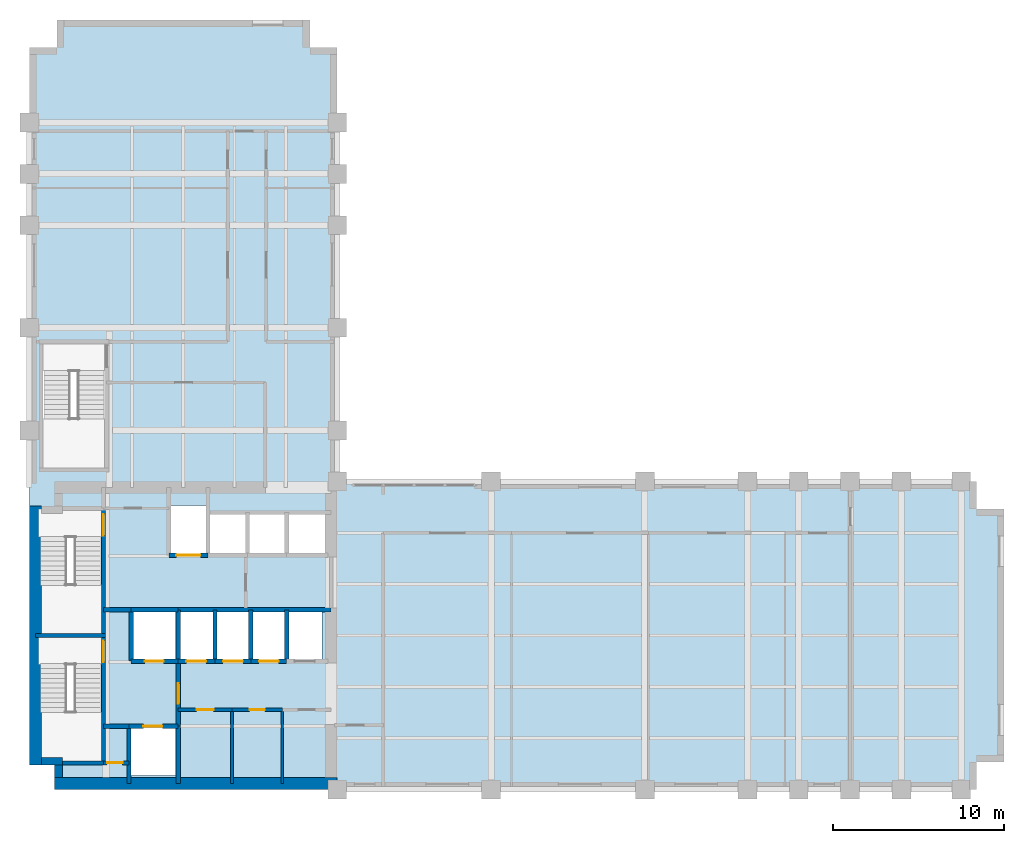
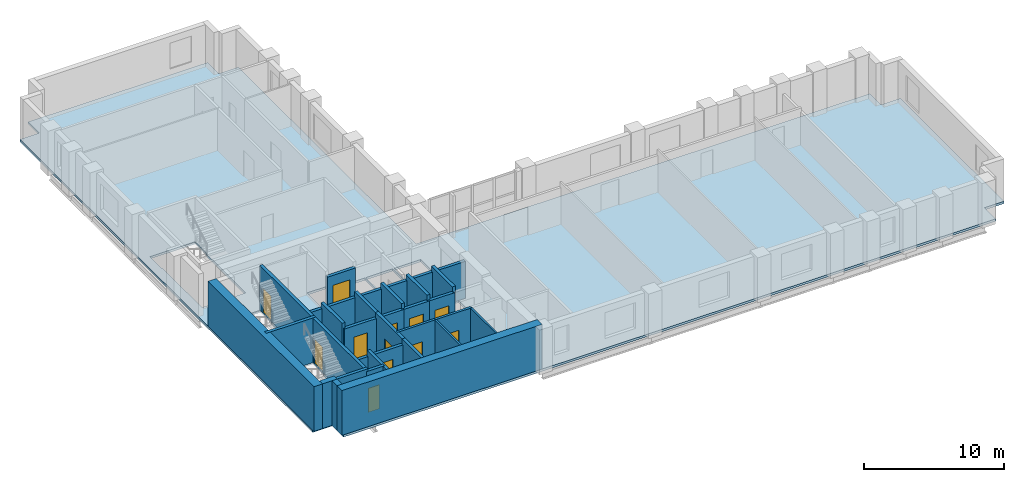
# One storey, part 4 of 8: 31 walls, 12 doors, 1 slab, 12 openings.
"""IFC4 building model written with IfcOpenShell, lengths in metres."""

from ifc_helpers import new_model, si_unit, direction, frame, frame_2d, origin, place, context, subcontext, project, spatial, polyline, rectangle, outline, extrude, material, layer, layer_set, type_object, element, fill, save


model = new_model("IFC4")

# Units and contexts
model_context = context("Model", 3, precision=1e-05, world=origin(), true_north=direction((0.0, 1.0)))
body_context = subcontext(model_context, "Body", "Model", "MODEL_VIEW")
ifc_project = project(units=[si_unit("LENGTHUNIT", "METRE"), si_unit("AREAUNIT", "SQUARE_METRE"), si_unit("VOLUMEUNIT", "CUBIC_METRE"), si_unit("PLANEANGLEUNIT", "RADIAN"), si_unit("MASSUNIT", "GRAM", prefix="KILO")], contexts=[model_context])

# Site, building, storey
site_placement = place(None, origin())
site = spatial("IfcSite", under=ifc_project, at=site_placement, CompositionType="ELEMENT")
building_placement = place(site_placement, origin())
building = spatial("IfcBuilding", under=site, at=building_placement, Name="Mawjdan Bourse Tower", CompositionType="ELEMENT")
storey_placement = place(building_placement, frame((0.0, 0.0, 101.10009765625)))
storey = spatial("IfcBuildingStorey", under=building, at=storey_placement, Name="L23", CompositionType="ELEMENT", Elevation=101.10009765625)

# Slab
ifc_material_1 = material(Name="Concrete C50/60", Category="concrete")
ifc_layer_1 = layer(ifc_material_1, 0.199951171875)
ifc_layer_set_1 = layer_set([ifc_layer_1], Name="Concrete C50/60")
slab_type = type_object("IfcSlabType", Name="SL-OFC-200", PredefinedType="FLOOR", material=ifc_layer_set_1)
slab_placement = place(storey_placement, frame((0.0, 0.0, -0.2001953125)))
element("IfcSlab", 1, at=slab_placement, inside=storey, type_object=slab_type, Name="L23 Structural Floor Slab 1", PredefinedType="FLOOR", context=body_context, shape_type="SweptSolid", body=[
    extrude(outline(polyline([(7.60009765625, 3.0), (61.39990234375, 3.0), (61.39990234375, 4.60009765625), (63.0, 4.60009765625), (63.0, 19.39990234375), (61.39990234375, 19.39990234375), (61.39990234375, 21.0), (24.0, 21.0), (24.0, 46.39990234375), (22.39990234375, 46.39990234375), (22.39990234375, 48.0), (7.60009765625, 48.0), (7.60009765625, 46.39990234375), (6.0, 46.39990234375), (6.0, 4.60009765625), (7.60009765625, 4.60009765625), (7.60009765625, 3.0)]), holes=[polyline([(11.949951171875, 3.800048828125), (11.949951171875, 6.60009765625), (14.550048828125, 6.60009765625), (14.550048828125, 3.800048828125), (11.949951171875, 3.800048828125)]), polyline([(6.60009765625, 10.31005859375), (6.5400390625, 10.31005859375), (6.5400390625, 11.969970703125), (10.260009765625, 11.969970703125), (10.260009765625, 10.31005859375), (10.199951171875, 10.31005859375), (10.199951171875, 4.64990234375), (6.60009765625, 4.64990234375), (6.60009765625, 10.31005859375)]), polyline([(12.050048828125, 10.60009765625), (12.050048828125, 13.39990234375), (14.550048828125, 13.39990234375), (14.550048828125, 10.60009765625), (12.050048828125, 10.60009765625)]), polyline([(10.260009765625, 19.409912109375), (10.260009765625, 17.75), (10.199951171875, 17.75), (10.199951171875, 12.090087890625), (6.60009765625, 12.090087890625), (6.60009765625, 17.75), (6.5400390625, 17.75), (6.5400390625, 19.409912109375), (10.260009765625, 19.409912109375)]), polyline([(10.4599609375, 29.1201171875), (10.4599609375, 27.4599609375), (10.39990234375, 27.4599609375), (10.39990234375, 21.800048828125), (6.800048828125, 21.800048828125), (6.800048828125, 27.4599609375), (6.739990234375, 27.4599609375), (6.739990234375, 29.1201171875), (10.4599609375, 29.1201171875)]), polyline([(14.800048828125, 10.60009765625), (14.800048828125, 13.39990234375), (16.800048828125, 13.39990234375), (16.800048828125, 10.60009765625), (14.800048828125, 10.60009765625)]), polyline([(16.89990234375, 10.60009765625), (16.89990234375, 13.39990234375), (18.89990234375, 13.39990234375), (18.89990234375, 10.60009765625), (16.89990234375, 10.60009765625)]), polyline([(19.0, 10.60009765625), (19.0, 13.39990234375), (21.0, 13.39990234375), (21.0, 10.60009765625), (19.0, 10.60009765625)]), polyline([(21.10009765625, 10.60009765625), (21.10009765625, 13.39990234375), (23.10009765625, 13.39990234375), (23.10009765625, 10.60009765625), (21.10009765625, 10.60009765625)]), polyline([(16.5, 16.800048828125), (16.5, 19.14990234375), (18.699951171875, 19.14990234375), (18.699951171875, 16.800048828125), (16.5, 16.800048828125)]), polyline([(18.800048828125, 16.800048828125), (18.800048828125, 19.14990234375), (21.0, 19.14990234375), (21.0, 16.800048828125), (18.800048828125, 16.800048828125)]), polyline([(21.10009765625, 16.800048828125), (21.10009765625, 19.14990234375), (23.300048828125, 19.14990234375), (23.300048828125, 16.800048828125), (21.10009765625, 16.800048828125)]), polyline([(14.199951171875, 16.800048828125), (14.199951171875, 19.60009765625), (16.39990234375, 19.60009765625), (16.39990234375, 16.800048828125), (14.199951171875, 16.800048828125)])]), origin(), (0.0, 0.0, 1.0), 0.2001953125),
])

# Wall, opening, door
ifc_material_2 = material(Name="Gypsum Fireboard Assembly")
ifc_layer_2 = layer(ifc_material_2, 0.199951171875)
ifc_layer_set_2 = layer_set([ifc_layer_2], Name="Gypsum Fireboard Assembly")
wall_type_1 = type_object("IfcWallType", Name="WL-CMP-200", PredefinedType="PARTITIONING", material=ifc_layer_set_2)
wall_1_placement = place(storey_placement, frame((14.699951171875, 7.659912109375, 0.0), z_axis=(0.0, 0.0, 1.0), x_axis=(1.0, 0.0, 0.0)))
wall_1 = element("IfcWall", 2, at=wall_1_placement, inside=storey, type_object=wall_type_1, Name="L23 Prayer & Quiet Reflection Room North Wall", PredefinedType="PARTITIONING", context=body_context, shape_type="SweptSolid", body=[
    extrude(rectangle(XDim=3.150146484375, YDim=0.199951171875, at=frame_2d((1.5751953125, 0.0))), origin(), (0.0, 0.0, 1.0), 3.68994140625),
])
opening_1_placement = place(wall_1_placement, frame((1.074951171875, 0.0, 0.0)))
opening_1 = element("IfcOpeningElement", 3, at=opening_1_placement, cuts=wall_1, Name="Opening D-L23-10", PredefinedType="OPENING", context=body_context, shape_type="SweptSolid", body=[
    extrude(rectangle(XDim=1.0, YDim=2.14990234375, at=frame_2d((0.5, 1.074951171875))), frame((0.0, 0.10986328125, 0.0), z_axis=(0.0, -1.0, 0.0), x_axis=(1.0, 0.0, 0.0)), (0.0, 0.0, 1.0), 0.219970703125),
])
ifc_material_3 = material(Name="Hardwood Acoustic Leaf", Category="wood")
door_type_1 = type_object("IfcDoorType", Name="DR-OFC-1000", OperationType="NOTDEFINED", PredefinedType="DOOR", material=ifc_material_3)
door_1_placement = place(opening_1_placement, origin())
door_1 = element("IfcDoor", 4, at=door_1_placement, inside=storey, type_object=door_type_1, Name="L23 Prayer & Quiet Reflection Room Door D-L23-10", OperationType="SINGLE_SWING_RIGHT", OverallHeight=2.14990234375, OverallWidth=1.0, PredefinedType="DOOR", context=body_context, shape_type="SweptSolid", body=[
    extrude(rectangle(XDim=1.0, YDim=2.14990234375, at=frame_2d((0.5, 1.074951171875))), frame((0.0, 0.02490234375, 0.0), z_axis=(0.0, -1.0, 0.0), x_axis=(1.0, 0.0, 0.0)), (0.0, 0.0, 1.0), 0.050048828125),
])
fill(opening_1, door_1)

wall_2_placement = place(storey_placement, frame((17.85009765625, 7.659912109375, 0.0), z_axis=(0.0, 0.0, 1.0), x_axis=(1.0, 0.0, 0.0)))
wall_2 = element("IfcWall", 5, at=wall_2_placement, inside=storey, type_object=wall_type_1, Name="L23 Electrical Switchboard Room North Wall", PredefinedType="PARTITIONING", context=body_context, shape_type="SweptSolid", body=[
    extrude(rectangle(XDim=2.949951171875, YDim=0.199951171875, at=frame_2d((1.47509765625, 0.0))), origin(), (0.0, 0.0, 1.0), 3.68994140625),
])
opening_2_placement = place(wall_2_placement, frame((1.02490234375, 0.0, 0.0)))
opening_2 = element("IfcOpeningElement", 6, at=opening_2_placement, cuts=wall_2, Name="Opening D-L23-11", PredefinedType="OPENING", context=body_context, shape_type="SweptSolid", body=[
    extrude(rectangle(XDim=0.89990234375, YDim=2.10009765625, at=frame_2d((0.449951171875, 1.050048828125))), frame((0.0, 0.10986328125, 0.0), z_axis=(0.0, -1.0, 0.0), x_axis=(1.0, 0.0, 0.0)), (0.0, 0.0, 1.0), 0.219970703125),
])
ifc_material_4 = material(Name="Fire-Rated Steel Access Leaf", Category="steel")
door_type_2 = type_object("IfcDoorType", Name="FD-RSR-0900", OperationType="NOTDEFINED", PredefinedType="TRAPDOOR", material=ifc_material_4)
door_2_placement = place(opening_2_placement, origin())
door_2 = element("IfcDoor", 7, at=door_2_placement, inside=storey, type_object=door_type_2, Name="L23 Electrical Switchboard Room Door D-L23-11", OperationType="SINGLE_SWING_LEFT", OverallHeight=2.10009765625, OverallWidth=0.89990234375, PredefinedType="TRAPDOOR", context=body_context, shape_type="SweptSolid", body=[
    extrude(rectangle(XDim=0.89990234375, YDim=2.10009765625, at=frame_2d((0.449951171875, 1.050048828125))), frame((0.0, 0.02490234375, 0.0), z_axis=(0.0, -1.0, 0.0), x_axis=(1.0, 0.0, 0.0)), (0.0, 0.0, 1.0), 0.050048828125),
])
fill(opening_2, door_2)

# Walls
ifc_material_5 = material(Name="Concrete C60/75", Category="concrete")
ifc_layer_3 = layer(ifc_material_5, 0.449951171875)
ifc_layer_set_3 = layer_set([ifc_layer_3], Name="Concrete C60/75")
wall_type_2 = type_object("IfcWallType", Name="WL-CORE-450", PredefinedType="SHEAR", material=ifc_layer_set_3)
wall_3_placement = place(storey_placement, frame((6.699951171875, 4.64990234375, 0.0), z_axis=(0.0, 0.0, 1.0), x_axis=(1.0, 0.0, 0.0)))
element("IfcWall", 8, at=wall_3_placement, inside=storey, type_object=wall_type_2, Name="L23 Rear Core Shear Wall SW-X", PredefinedType="SHEAR", context=body_context, shape_type="SweptSolid", body=[
    extrude(rectangle(XDim=1.22509765625, YDim=0.449951171875, at=frame_2d((0.612548828125, 0.0))), origin(), (0.0, 0.0, 1.0), 3.89990234375),
])
wall_4_placement = place(storey_placement, frame((7.699951171875, 3.699951171875, 0.0), z_axis=(0.0, 0.0, 1.0), x_axis=(0.0, 1.0, 0.0)))
element("IfcWall", 9, at=wall_4_placement, inside=storey, type_object=wall_type_2, Name="L23 Rear Core Shear Wall SW-Y", PredefinedType="SHEAR", context=body_context, shape_type="SweptSolid", body=[
    extrude(rectangle(XDim=0.72509765625, YDim=0.449951171875, at=frame_2d((0.362548828125, 0.0))), origin(), (0.0, 0.0, 1.0), 3.89990234375),
])
ifc_material_6 = material(Name="Concrete C70/85", Category="concrete")
ifc_layer_4 = layer(ifc_material_6, 0.699951171875)
ifc_layer_set_4 = layer_set([ifc_layer_4], Name="Concrete C70/85")
wall_type_3 = type_object("IfcWallType", Name="WL-CORE-700", PredefinedType="SHEAR", material=ifc_layer_set_4)
wall_5_placement = place(storey_placement, frame((7.47509765625, 3.35009765625, 0.0), z_axis=(0.0, 0.0, 1.0), x_axis=(1.0, 0.0, 0.0)))
element("IfcWall", 10, at=wall_5_placement, inside=storey, type_object=wall_type_3, Name="L23 Rear Core Shear Wall S", PredefinedType="SHEAR", context=body_context, shape_type="SweptSolid", body=[
    extrude(rectangle(XDim=16.52490234375, YDim=0.699951171875, at=frame_2d((8.262451171875, 0.0))), origin(), (0.0, 0.0, 1.0), 3.89990234375),
])
wall_6_placement = place(storey_placement, frame((6.35009765625, 4.425048828125, 0.0), z_axis=(0.0, 0.0, 1.0), x_axis=(0.0, 1.0, 0.0)))
element("IfcWall", 11, at=wall_6_placement, inside=storey, type_object=wall_type_3, Name="L23 Rear Core Shear Wall W", PredefinedType="SHEAR", context=body_context, shape_type="SweptSolid", body=[
    extrude(rectangle(XDim=15.14990234375, YDim=0.699951171875, at=frame_2d((7.574951171875, 0.0))), origin(), (0.0, 0.0, 1.0), 3.89990234375),
])
ifc_material_7 = material(Name="Gypsum Acoustic Partition")
ifc_layer_5 = layer(ifc_material_7, 0.14990234375)
ifc_layer_set_5 = layer_set([ifc_layer_5], Name="Gypsum Acoustic Partition")
wall_type_4 = type_object("IfcWallType", Name="WL-PRT-150", PredefinedType="PARTITIONING", material=ifc_layer_set_5)
for number, where, z_axis, x_axis, name in (
    (12, (17.85009765625, 3.35009765625, 0.0), (0.0, 0.0, 1.0), (0.0, 1.0, 0.0), "L23 Electrical Switchboard Room Core Split Wall"),
    (13, (20.800048828125, 3.35009765625, 0.0), (0.0, 0.0, 1.0), (0.0, 1.0, 0.0), "L23 Staff Beverage Pantry Core Split Wall"),
):
    element("IfcWall", number, at=place(storey_placement, frame(where, z_axis=z_axis, x_axis=x_axis)), inside=storey, type_object=wall_type_4, Name=name, PredefinedType="PARTITIONING", context=body_context, shape_type="SweptSolid", body=[
        extrude(rectangle(XDim=4.309814453125, YDim=0.14990234375, at=frame_2d((2.15478515625, 0.0))), origin(), (0.0, 0.0, 1.0), 3.68994140625),
    ])

# Wall, opening, door
ifc_layer_6 = layer(ifc_material_1, 0.25)
ifc_layer_set_6 = layer_set([ifc_layer_6], Name="Concrete C50/60")
wall_type_5 = type_object("IfcWallType", Name="WL-SHFT-250", PredefinedType="PARTITIONING", material=ifc_layer_set_6)
wall_7_placement = place(storey_placement, frame((10.330078125, 4.550048828125, 0.0), z_axis=(0.0, 0.0, 1.0), x_axis=(1.0, 0.0, 0.0)))
wall_7 = element("IfcWall", 14, at=wall_7_placement, inside=storey, type_object=wall_type_5, Name="L23 SW Riser North Wall", PredefinedType="PARTITIONING", context=body_context, shape_type="SweptSolid", body=[
    extrude(rectangle(XDim=1.489990234375, YDim=0.25, at=frame_2d((0.7451171875, 0.0))), origin(), (0.0, 0.0, 1.0), 3.68994140625),
])
opening_3_placement = place(wall_7_placement, frame((0.219970703125, 0.0, 0.0)))
opening_3 = element("IfcOpeningElement", 15, at=opening_3_placement, cuts=wall_7, Name="Opening RD-L23-03", PredefinedType="OPENING", context=body_context, shape_type="SweptSolid", body=[
    extrude(rectangle(XDim=0.89990234375, YDim=2.10009765625, at=frame_2d((0.449951171875, 1.050048828125))), frame((0.0, 0.135009765625, 0.0), z_axis=(0.0, -1.0, 0.0), x_axis=(1.0, 0.0, 0.0)), (0.0, 0.0, 1.0), 0.27001953125),
])
door_3_placement = place(opening_3_placement, origin())
door_3 = element("IfcDoor", 16, at=door_3_placement, inside=storey, type_object=door_type_2, Name="L23 Electrical Riser Access Door RD-L23-03", OperationType="SINGLE_SWING_RIGHT", OverallHeight=2.10009765625, OverallWidth=0.89990234375, PredefinedType="TRAPDOOR", context=body_context, shape_type="SweptSolid", body=[
    extrude(rectangle(XDim=0.89990234375, YDim=2.10009765625, at=frame_2d((0.449951171875, 1.050048828125))), frame((0.0, 0.02490234375, 0.0), z_axis=(0.0, -1.0, 0.0), x_axis=(1.0, 0.0, 0.0)), (0.0, 0.0, 1.0), 0.050048828125),
])
fill(opening_3, door_3)

# Wall
wall_8_placement = place(storey_placement, frame((11.820068359375, 3.35009765625, 0.0), z_axis=(0.0, 0.0, 1.0), x_axis=(0.0, 1.0, 0.0)))
element("IfcWall", 17, at=wall_8_placement, inside=storey, type_object=wall_type_5, Name="L23 SW Riser & FFL01 West Wall", PredefinedType="PARTITIONING", context=body_context, shape_type="SweptSolid", body=[
    extrude(rectangle(XDim=3.349853515625, YDim=0.25, at=frame_2d((1.6748046875, 0.0))), origin(), (0.0, 0.0, 1.0), 3.68994140625),
])

# Wall, opening, door
wall_9_placement = place(storey_placement, frame((11.820068359375, 6.699951171875, 0.0), z_axis=(0.0, 0.0, 1.0), x_axis=(1.0, 0.0, 0.0)))
wall_9 = element("IfcWall", 18, at=wall_9_placement, inside=storey, type_object=wall_type_5, Name="L23 FFL-01 Front Shaft Wall", PredefinedType="PARTITIONING", context=body_context, shape_type="SweptSolid", body=[
    extrude(rectangle(XDim=2.8798828125, YDim=0.25, at=frame_2d((1.43994140625, 0.0))), origin(), (0.0, 0.0, 1.0), 3.226806640625),
])
opening_4_placement = place(wall_9_placement, frame((0.85009765625, 0.0, 0.0)))
opening_4 = element("IfcOpeningElement", 19, at=opening_4_placement, cuts=wall_9, Name="Opening LD-L23-05", PredefinedType="OPENING", context=body_context, shape_type="SweptSolid", body=[
    extrude(rectangle(XDim=1.10009765625, YDim=2.25, at=frame_2d((0.550048828125, 1.125))), frame((0.0, 0.135009765625, 0.0), z_axis=(0.0, -1.0, 0.0), x_axis=(1.0, 0.0, 0.0)), (0.0, 0.0, 1.0), 0.27001953125),
])
ifc_material_8 = material(Name="Brushed Stainless Steel", Category="steel")
door_type_3 = type_object("IfcDoorType", Name="LD-FFL-1100", OperationType="DOUBLE_DOOR_SLIDING", PredefinedType="DOOR", material=ifc_material_8)
door_4_placement = place(opening_4_placement, origin())
door_4 = element("IfcDoor", 20, at=door_4_placement, inside=storey, type_object=door_type_3, Name="L23 Firefighting Lift FFL-01 Landing Door LD-L23-05", OperationType="DOUBLE_DOOR_SLIDING", OverallHeight=2.25, OverallWidth=1.10009765625, PredefinedType="DOOR", context=body_context, shape_type="SweptSolid", body=[
    extrude(rectangle(XDim=1.10009765625, YDim=2.25, at=frame_2d((0.550048828125, 1.125))), frame((0.0, 0.02490234375, 0.0), z_axis=(0.0, -1.0, 0.0), x_axis=(1.0, 0.0, 0.0)), (0.0, 0.0, 1.0), 0.050048828125),
])
fill(opening_4, door_4)

# Wall
wall_10_placement = place(storey_placement, frame((14.699951171875, 3.35009765625, 0.0), z_axis=(0.0, 0.0, 1.0), x_axis=(0.0, 1.0, 0.0)))
element("IfcWall", 21, at=wall_10_placement, inside=storey, type_object=wall_type_5, Name="L23 FFL-01 East Shaft Wall", PredefinedType="PARTITIONING", context=body_context, shape_type="SweptSolid", body=[
    extrude(rectangle(XDim=3.349853515625, YDim=0.25, at=frame_2d((1.6748046875, 0.0))), origin(), (0.0, 0.0, 1.0), 3.68994140625),
])

# Wall, opening, door
wall_11_placement = place(storey_placement, frame((11.949951171875, 10.5, 0.0), z_axis=(0.0, 0.0, 1.0), x_axis=(1.0, 0.0, 0.0)))
wall_11 = element("IfcWall", 22, at=wall_11_placement, inside=storey, type_object=wall_type_5, Name="L23 FFL-02 Front Shaft Wall", PredefinedType="PARTITIONING", context=body_context, shape_type="SweptSolid", body=[
    extrude(rectangle(XDim=2.75, YDim=0.25, at=frame_2d((1.375, 0.0))), origin(), (0.0, 0.0, 1.0), 3.226806640625),
])
opening_5_placement = place(wall_11_placement, frame((0.800048828125, 0.0, 0.0)))
opening_5 = element("IfcOpeningElement", 23, at=opening_5_placement, cuts=wall_11, Name="Opening LD-L23-06", PredefinedType="OPENING", context=body_context, shape_type="SweptSolid", body=[
    extrude(rectangle(XDim=1.10009765625, YDim=2.25, at=frame_2d((0.550048828125, 1.125))), frame((0.0, 0.135009765625, 0.0), z_axis=(0.0, -1.0, 0.0), x_axis=(1.0, 0.0, 0.0)), (0.0, 0.0, 1.0), 0.27001953125),
])
door_5_placement = place(opening_5_placement, origin())
door_5 = element("IfcDoor", 24, at=door_5_placement, inside=storey, type_object=door_type_3, Name="L23 Firefighting Lift FFL-02 Landing Door LD-L23-06", OperationType="DOUBLE_DOOR_SLIDING", OverallHeight=2.25, OverallWidth=1.10009765625, PredefinedType="DOOR", context=body_context, shape_type="SweptSolid", body=[
    extrude(rectangle(XDim=1.10009765625, YDim=2.25, at=frame_2d((0.550048828125, 1.125))), frame((0.0, 0.02490234375, 0.0), z_axis=(0.0, -1.0, 0.0), x_axis=(1.0, 0.0, 0.0)), (0.0, 0.0, 1.0), 0.050048828125),
])
fill(opening_5, door_5)

# Walls
wall_12_placement = place(storey_placement, frame((11.949951171875, 10.5, 0.0), z_axis=(0.0, 0.0, 1.0), x_axis=(0.0, 1.0, 0.0)))
element("IfcWall", 25, at=wall_12_placement, inside=storey, type_object=wall_type_5, Name="L23 FFL-02 West Shaft Wall", PredefinedType="PARTITIONING", context=body_context, shape_type="SweptSolid", body=[
    extrude(rectangle(XDim=3.0, YDim=0.25, at=frame_2d((1.5, 0.0))), origin(), (0.0, 0.0, 1.0), 3.68994140625),
])
wall_13_placement = place(storey_placement, frame((11.949951171875, 13.5, 0.0), z_axis=(0.0, 0.0, 1.0), x_axis=(1.0, 0.0, 0.0)))
element("IfcWall", 26, at=wall_13_placement, inside=storey, type_object=wall_type_5, Name="L23 FFL-02 North Shaft Wall", PredefinedType="PARTITIONING", context=body_context, shape_type="SweptSolid", body=[
    extrude(rectangle(XDim=2.75, YDim=0.25, at=frame_2d((1.375, 0.0))), origin(), (0.0, 0.0, 1.0), 3.226806640625),
])
wall_14_placement = place(storey_placement, frame((14.699951171875, 10.5, 0.0), z_axis=(0.0, 0.0, 1.0), x_axis=(0.0, 1.0, 0.0)))
element("IfcWall", 27, at=wall_14_placement, inside=storey, type_object=wall_type_5, Name="L23 FFL-02 East Shaft Wall", PredefinedType="PARTITIONING", context=body_context, shape_type="SweptSolid", body=[
    extrude(rectangle(XDim=3.0, YDim=0.25, at=frame_2d((1.5, 0.0))), origin(), (0.0, 0.0, 1.0), 3.68994140625),
])

# Wall, opening, door
wall_15_placement = place(storey_placement, frame((14.699951171875, 6.699951171875, 0.0), z_axis=(0.0, 0.0, 1.0), x_axis=(0.0, 1.0, 0.0)))
wall_15 = element("IfcWall", 28, at=wall_15_placement, inside=storey, type_object=wall_type_5, Name="L23 Firefighting Lobby East Compartment Wall", PredefinedType="PARTITIONING", context=body_context, shape_type="SweptSolid", body=[
    extrude(rectangle(XDim=3.800048828125, YDim=0.25, at=frame_2d((1.89990234375, 0.0))), origin(), (0.0, 0.0, 1.0), 3.68994140625),
])
opening_6_placement = place(wall_15_placement, frame((1.300048828125, 0.0, 0.0)))
opening_6 = element("IfcOpeningElement", 29, at=opening_6_placement, cuts=wall_15, Name="Opening FD-L23-07", PredefinedType="OPENING", context=body_context, shape_type="SweptSolid", body=[
    extrude(rectangle(XDim=1.199951171875, YDim=2.199951171875, at=frame_2d((0.60009765625, 1.10009765625))), frame((0.0, 0.135009765625, 0.0), z_axis=(0.0, -1.0, 0.0), x_axis=(1.0, 0.0, 0.0)), (0.0, 0.0, 1.0), 0.27001953125),
])
ifc_material_9 = material(Name="Fire-Rated Steel Leaf", Category="steel")
door_type_4 = type_object("IfcDoorType", Name="FD-FFL-1200", OperationType="NOTDEFINED", PredefinedType="DOOR", material=ifc_material_9)
door_6_placement = place(opening_6_placement, origin())
door_6 = element("IfcDoor", 30, at=door_6_placement, inside=storey, type_object=door_type_4, Name="L23 Firefighting Lobby East Smoke Door FD-L23-07", OperationType="SINGLE_SWING_RIGHT", OverallHeight=2.199951171875, OverallWidth=1.199951171875, PredefinedType="DOOR", context=body_context, shape_type="SweptSolid", body=[
    extrude(rectangle(XDim=1.199951171875, YDim=2.199951171875, at=frame_2d((0.60009765625, 1.10009765625))), frame((0.0, 0.02490234375, 0.0), z_axis=(0.0, -1.0, 0.0), x_axis=(1.0, 0.0, 0.0)), (0.0, 0.0, 1.0), 0.050048828125),
])
fill(opening_6, door_6)

# Walls
wall_16_placement = place(storey_placement, frame((10.330078125, 13.5, 0.0), z_axis=(0.0, 0.0, 1.0), x_axis=(1.0, 0.0, 0.0)))
element("IfcWall", 31, at=wall_16_placement, inside=storey, type_object=wall_type_5, Name="L23 Firefighting Lobby North Compartment Wall", PredefinedType="PARTITIONING", context=body_context, shape_type="SweptSolid", body=[
    extrude(rectangle(XDim=1.619873046875, YDim=0.25, at=frame_2d((0.81005859375, 0.0))), origin(), (0.0, 0.0, 1.0), 3.226806640625),
])
wall_17_placement = place(storey_placement, frame((10.330078125, 6.699951171875, 0.0), z_axis=(0.0, 0.0, 1.0), x_axis=(1.0, 0.0, 0.0)))
element("IfcWall", 32, at=wall_17_placement, inside=storey, type_object=wall_type_5, Name="L23 Firefighting Lobby South Closure Wall", PredefinedType="PARTITIONING", context=body_context, shape_type="SweptSolid", body=[
    extrude(rectangle(XDim=1.489990234375, YDim=0.25, at=frame_2d((0.7451171875, 0.0))), origin(), (0.0, 0.0, 1.0), 3.226806640625),
])

# Wall, opening, door
wall_18_placement = place(storey_placement, frame((14.14990234375, 16.699951171875, 0.0), z_axis=(0.0, 0.0, 1.0), x_axis=(1.0, 0.0, 0.0)))
wall_18 = element("IfcWall", 33, at=wall_18_placement, inside=storey, type_object=wall_type_5, Name="L23 SVL-01 Front Shaft Wall", PredefinedType="PARTITIONING", context=body_context, shape_type="SweptSolid", body=[
    extrude(rectangle(XDim=2.300048828125, YDim=0.25, at=frame_2d((1.14990234375, 0.0))), origin(), (0.0, 0.0, 1.0), 3.226806640625),
])
opening_7_placement = place(wall_18_placement, frame((0.449951171875, 0.0, 0.0)))
opening_7 = element("IfcOpeningElement", 34, at=opening_7_placement, cuts=wall_18, Name="Opening LD-L23-09", PredefinedType="OPENING", context=body_context, shape_type="SweptSolid", body=[
    extrude(rectangle(XDim=1.39990234375, YDim=2.35009765625, at=frame_2d((0.699951171875, 1.175048828125))), frame((0.0, 0.135009765625, 0.0), z_axis=(0.0, -1.0, 0.0), x_axis=(1.0, 0.0, 0.0)), (0.0, 0.0, 1.0), 0.27001953125),
])
ifc_material_10 = material(Name="Heavy-Duty Stainless Steel", Category="steel")
door_type_5 = type_object("IfcDoorType", Name="LD-SRV-1400", OperationType="DOUBLE_DOOR_SLIDING", PredefinedType="DOOR", material=ifc_material_10)
door_7_placement = place(opening_7_placement, origin())
door_7 = element("IfcDoor", 35, at=door_7_placement, inside=storey, type_object=door_type_5, Name="L23 Service Lift SVL-01 Landing Door LD-L23-09", OperationType="DOUBLE_DOOR_SLIDING", OverallHeight=2.35009765625, OverallWidth=1.39990234375, PredefinedType="DOOR", context=body_context, shape_type="SweptSolid", body=[
    extrude(rectangle(XDim=1.39990234375, YDim=2.35009765625, at=frame_2d((0.699951171875, 1.175048828125))), frame((0.0, 0.02490234375, 0.0), z_axis=(0.0, -1.0, 0.0), x_axis=(1.0, 0.0, 0.0)), (0.0, 0.0, 1.0), 0.050048828125),
])
fill(opening_7, door_7)

wall_19_placement = place(storey_placement, frame((14.699951171875, 10.5, 0.0), z_axis=(0.0, 0.0, 1.0), x_axis=(1.0, 0.0, 0.0)))
wall_19 = element("IfcWall", 36, at=wall_19_placement, inside=storey, type_object=wall_type_5, Name="L23 PM-01 Front Wall", PredefinedType="PARTITIONING", context=body_context, shape_type="SweptSolid", body=[
    extrude(rectangle(XDim=2.150146484375, YDim=0.25, at=frame_2d((1.0751953125, 0.0))), origin(), (0.0, 0.0, 1.0), 3.226806640625),
])
opening_8_placement = place(wall_19_placement, frame((0.47998046875, 0.0, 0.0)))
opening_8 = element("IfcOpeningElement", 37, at=opening_8_placement, cuts=wall_19, Name="Opening LD-L23-13", PredefinedType="OPENING", context=body_context, shape_type="SweptSolid", body=[
    extrude(rectangle(XDim=1.14990234375, YDim=2.25, at=frame_2d((0.574951171875, 1.125))), frame((0.0, 0.135009765625, 0.0), z_axis=(0.0, -1.0, 0.0), x_axis=(1.0, 0.0, 0.0)), (0.0, 0.0, 1.0), 0.27001953125),
])
door_type_6 = type_object("IfcDoorType", Name="LD-PAS-1150", OperationType="DOUBLE_DOOR_SLIDING", PredefinedType="DOOR", material=ifc_material_8)
door_8_placement = place(opening_8_placement, origin())
door_8 = element("IfcDoor", 38, at=door_8_placement, inside=storey, type_object=door_type_6, Name="L23 Lift PM-01 Landing Door LD-L23-13", OperationType="DOUBLE_DOOR_SLIDING", OverallHeight=2.25, OverallWidth=1.14990234375, PredefinedType="DOOR", context=body_context, shape_type="SweptSolid", body=[
    extrude(rectangle(XDim=1.14990234375, YDim=2.25, at=frame_2d((0.574951171875, 1.125))), frame((0.0, 0.02490234375, 0.0), z_axis=(0.0, -1.0, 0.0), x_axis=(1.0, 0.0, 0.0)), (0.0, 0.0, 1.0), 0.050048828125),
])
fill(opening_8, door_8)

# Wall
wall_20_placement = place(storey_placement, frame((16.85009765625, 10.5, 0.0), z_axis=(0.0, 0.0, 1.0), x_axis=(0.0, 1.0, 0.0)))
element("IfcWall", 39, at=wall_20_placement, inside=storey, type_object=wall_type_5, Name="L23 PM-01 Divider Wall", PredefinedType="PARTITIONING", context=body_context, shape_type="SweptSolid", body=[
    extrude(rectangle(XDim=3.0, YDim=0.25, at=frame_2d((1.5, 0.0))), origin(), (0.0, 0.0, 1.0), 3.68994140625),
])

# Wall, opening, door
wall_21_placement = place(storey_placement, frame((16.85009765625, 10.5, 0.0), z_axis=(0.0, 0.0, 1.0), x_axis=(1.0, 0.0, 0.0)))
wall_21 = element("IfcWall", 40, at=wall_21_placement, inside=storey, type_object=wall_type_5, Name="L23 PM-02 Front Wall", PredefinedType="PARTITIONING", context=body_context, shape_type="SweptSolid", body=[
    extrude(rectangle(XDim=2.099853515625, YDim=0.25, at=frame_2d((1.0498046875, 0.0))), origin(), (0.0, 0.0, 1.0), 3.226806640625),
])
opening_9_placement = place(wall_21_placement, frame((0.47998046875, 0.0, 0.0)))
opening_9 = element("IfcOpeningElement", 41, at=opening_9_placement, cuts=wall_21, Name="Opening LD-L23-14", PredefinedType="OPENING", context=body_context, shape_type="SweptSolid", body=[
    extrude(rectangle(XDim=1.14990234375, YDim=2.25, at=frame_2d((0.574951171875, 1.125))), frame((0.0, 0.135009765625, 0.0), z_axis=(0.0, -1.0, 0.0), x_axis=(1.0, 0.0, 0.0)), (0.0, 0.0, 1.0), 0.27001953125),
])
door_9_placement = place(opening_9_placement, origin())
door_9 = element("IfcDoor", 42, at=door_9_placement, inside=storey, type_object=door_type_6, Name="L23 Lift PM-02 Landing Door LD-L23-14", OperationType="DOUBLE_DOOR_SLIDING", OverallHeight=2.25, OverallWidth=1.14990234375, PredefinedType="DOOR", context=body_context, shape_type="SweptSolid", body=[
    extrude(rectangle(XDim=1.14990234375, YDim=2.25, at=frame_2d((0.574951171875, 1.125))), frame((0.0, 0.02490234375, 0.0), z_axis=(0.0, -1.0, 0.0), x_axis=(1.0, 0.0, 0.0)), (0.0, 0.0, 1.0), 0.050048828125),
])
fill(opening_9, door_9)

# Wall
wall_22_placement = place(storey_placement, frame((18.949951171875, 10.5, 0.0), z_axis=(0.0, 0.0, 1.0), x_axis=(0.0, 1.0, 0.0)))
element("IfcWall", 43, at=wall_22_placement, inside=storey, type_object=wall_type_5, Name="L23 PM-02 Divider Wall", PredefinedType="PARTITIONING", context=body_context, shape_type="SweptSolid", body=[
    extrude(rectangle(XDim=3.0, YDim=0.25, at=frame_2d((1.5, 0.0))), origin(), (0.0, 0.0, 1.0), 3.68994140625),
])

# Wall, opening, door
wall_23_placement = place(storey_placement, frame((18.949951171875, 10.5, 0.0), z_axis=(0.0, 0.0, 1.0), x_axis=(1.0, 0.0, 0.0)))
wall_23 = element("IfcWall", 44, at=wall_23_placement, inside=storey, type_object=wall_type_5, Name="L23 PM-03 Front Wall", PredefinedType="PARTITIONING", context=body_context, shape_type="SweptSolid", body=[
    extrude(rectangle(XDim=2.10009765625, YDim=0.25, at=frame_2d((1.050048828125, 0.0))), origin(), (0.0, 0.0, 1.0), 3.226806640625),
])
opening_10_placement = place(wall_23_placement, frame((0.47998046875, 0.0, 0.0)))
opening_10 = element("IfcOpeningElement", 45, at=opening_10_placement, cuts=wall_23, Name="Opening LD-L23-15", PredefinedType="OPENING", context=body_context, shape_type="SweptSolid", body=[
    extrude(rectangle(XDim=1.14990234375, YDim=2.25, at=frame_2d((0.574951171875, 1.125))), frame((0.0, 0.135009765625, 0.0), z_axis=(0.0, -1.0, 0.0), x_axis=(1.0, 0.0, 0.0)), (0.0, 0.0, 1.0), 0.27001953125),
])
door_10_placement = place(opening_10_placement, origin())
door_10 = element("IfcDoor", 46, at=door_10_placement, inside=storey, type_object=door_type_6, Name="L23 Lift PM-03 Landing Door LD-L23-15", OperationType="DOUBLE_DOOR_SLIDING", OverallHeight=2.25, OverallWidth=1.14990234375, PredefinedType="DOOR", context=body_context, shape_type="SweptSolid", body=[
    extrude(rectangle(XDim=1.14990234375, YDim=2.25, at=frame_2d((0.574951171875, 1.125))), frame((0.0, 0.02490234375, 0.0), z_axis=(0.0, -1.0, 0.0), x_axis=(1.0, 0.0, 0.0)), (0.0, 0.0, 1.0), 0.050048828125),
])
fill(opening_10, door_10)

# Walls
wall_24_placement = place(storey_placement, frame((21.050048828125, 10.5, 0.0), z_axis=(0.0, 0.0, 1.0), x_axis=(0.0, 1.0, 0.0)))
element("IfcWall", 47, at=wall_24_placement, inside=storey, type_object=wall_type_5, Name="L23 PM-03 Divider Wall", PredefinedType="PARTITIONING", context=body_context, shape_type="SweptSolid", body=[
    extrude(rectangle(XDim=3.0, YDim=0.25, at=frame_2d((1.5, 0.0))), origin(), (0.0, 0.0, 1.0), 3.68994140625),
])
wall_25_placement = place(storey_placement, frame((14.699951171875, 13.5, 0.0), z_axis=(0.0, 0.0, 1.0), x_axis=(1.0, 0.0, 0.0)))
element("IfcWall", 48, at=wall_25_placement, inside=storey, type_object=wall_type_5, Name="L23 PM Bank North Shaft Back Wall", PredefinedType="PARTITIONING", context=body_context, shape_type="SweptSolid", body=[
    extrude(rectangle(XDim=8.949951171875, YDim=0.25, at=frame_2d((4.47509765625, 0.0))), origin(), (0.0, 0.0, 1.0), 3.226806640625),
])
ifc_layer_7 = layer(ifc_material_1, 0.25)
ifc_layer_set_7 = layer_set([ifc_layer_7], Name="Concrete C50/60")
wall_type_6 = type_object("IfcWallType", Name="WL-STRW-250", PredefinedType="SHEAR", material=ifc_layer_set_7)
wall_26_placement = place(storey_placement, frame((6.35009765625, 12.0, 0.0), z_axis=(0.0, 0.0, 1.0), x_axis=(1.0, 0.0, 0.0)))
element("IfcWall", 49, at=wall_26_placement, inside=storey, type_object=wall_type_6, Name="L23 Stairwell Dividing Shaft Wall", PredefinedType="SHEAR", context=body_context, shape_type="SweptSolid", body=[
    extrude(rectangle(XDim=4.10498046875, YDim=0.25, at=frame_2d((2.052490234375, 0.0))), origin(), (0.0, 0.0, 1.0), 3.89990234375),
])
wall_27_placement = place(storey_placement, frame((7.699951171875, 4.550048828125, 0.0), z_axis=(0.0, 0.0, 1.0), x_axis=(1.0, 0.0, 0.0)))
element("IfcWall", 50, at=wall_27_placement, inside=storey, type_object=wall_type_6, Name="L23 Stairwell ST1 South Shaft Wall", PredefinedType="SHEAR", context=body_context, shape_type="SweptSolid", body=[
    extrude(rectangle(XDim=2.755126953125, YDim=0.25, at=frame_2d((1.37744140625, 0.0))), origin(), (0.0, 0.0, 1.0), 3.89990234375),
])

# Wall, opening, door
wall_28_placement = place(storey_placement, frame((10.330078125, 4.550048828125, 0.0), z_axis=(0.0, 0.0, 1.0), x_axis=(0.0, 1.0, 0.0)))
wall_28 = element("IfcWall", 51, at=wall_28_placement, inside=storey, type_object=wall_type_6, Name="L23 Stairwell ST1 East Enclosure Wall", PredefinedType="SHEAR", context=body_context, shape_type="SweptSolid", body=[
    extrude(rectangle(XDim=7.449951171875, YDim=0.25, at=frame_2d((3.72509765625, 0.0))), origin(), (0.0, 0.0, 1.0), 3.89990234375),
])
opening_11_placement = place(wall_28_placement, frame((5.89990234375, 0.0, 0.0)))
opening_11 = element("IfcOpeningElement", 52, at=opening_11_placement, cuts=wall_28, Name="Opening SD-L23-01", PredefinedType="OPENING", context=body_context, shape_type="SweptSolid", body=[
    extrude(rectangle(XDim=1.25, YDim=2.199951171875, at=frame_2d((0.625, 1.10009765625))), frame((0.0, 0.135009765625, 0.0), z_axis=(0.0, -1.0, 0.0), x_axis=(1.0, 0.0, 0.0)), (0.0, 0.0, 1.0), 0.27001953125),
])
door_type_7 = type_object("IfcDoorType", Name="FD-ST-1250", OperationType="NOTDEFINED", PredefinedType="DOOR", material=ifc_material_9)
door_11_placement = place(opening_11_placement, origin())
door_11 = element("IfcDoor", 53, at=door_11_placement, inside=storey, type_object=door_type_7, Name="L23 Exit Stair ST1 Fire Door SD-L23-01", OperationType="SINGLE_SWING_RIGHT", OverallHeight=2.199951171875, OverallWidth=1.25, PredefinedType="DOOR", context=body_context, shape_type="SweptSolid", body=[
    extrude(rectangle(XDim=1.25, YDim=2.199951171875, at=frame_2d((0.625, 1.10009765625))), frame((0.0, 0.02490234375, 0.0), z_axis=(0.0, -1.0, 0.0), x_axis=(1.0, 0.0, 0.0)), (0.0, 0.0, 1.0), 0.050048828125),
])
fill(opening_11, door_11)

wall_29_placement = place(storey_placement, frame((10.330078125, 12.0, 0.0), z_axis=(0.0, 0.0, 1.0), x_axis=(0.0, 1.0, 0.0)))
wall_29 = element("IfcWall", 54, at=wall_29_placement, inside=storey, type_object=wall_type_6, Name="L23 Stairwell ST2 East Enclosure Wall", PredefinedType="SHEAR", context=body_context, shape_type="SweptSolid", body=[
    extrude(rectangle(XDim=7.449951171875, YDim=0.25, at=frame_2d((3.72509765625, 0.0))), origin(), (0.0, 0.0, 1.0), 3.89990234375),
])
opening_12_placement = place(wall_29_placement, frame((5.85009765625, 0.0, 0.0)))
opening_12 = element("IfcOpeningElement", 55, at=opening_12_placement, cuts=wall_29, Name="Opening SD-L23-02", PredefinedType="OPENING", context=body_context, shape_type="SweptSolid", body=[
    extrude(rectangle(XDim=1.25, YDim=2.199951171875, at=frame_2d((0.625, 1.10009765625))), frame((0.0, 0.135009765625, 0.0), z_axis=(0.0, -1.0, 0.0), x_axis=(1.0, 0.0, 0.0)), (0.0, 0.0, 1.0), 0.27001953125),
])
door_12_placement = place(opening_12_placement, origin())
door_12 = element("IfcDoor", 56, at=door_12_placement, inside=storey, type_object=door_type_7, Name="L23 Exit Stair ST2 Fire Door SD-L23-02", OperationType="SINGLE_SWING_LEFT", OverallHeight=2.199951171875, OverallWidth=1.25, PredefinedType="DOOR", context=body_context, shape_type="SweptSolid", body=[
    extrude(rectangle(XDim=1.25, YDim=2.199951171875, at=frame_2d((0.625, 1.10009765625))), frame((0.0, 0.02490234375, 0.0), z_axis=(0.0, -1.0, 0.0), x_axis=(1.0, 0.0, 0.0)), (0.0, 0.0, 1.0), 0.050048828125),
])
fill(opening_12, door_12)

save(model, "model.ifc")
